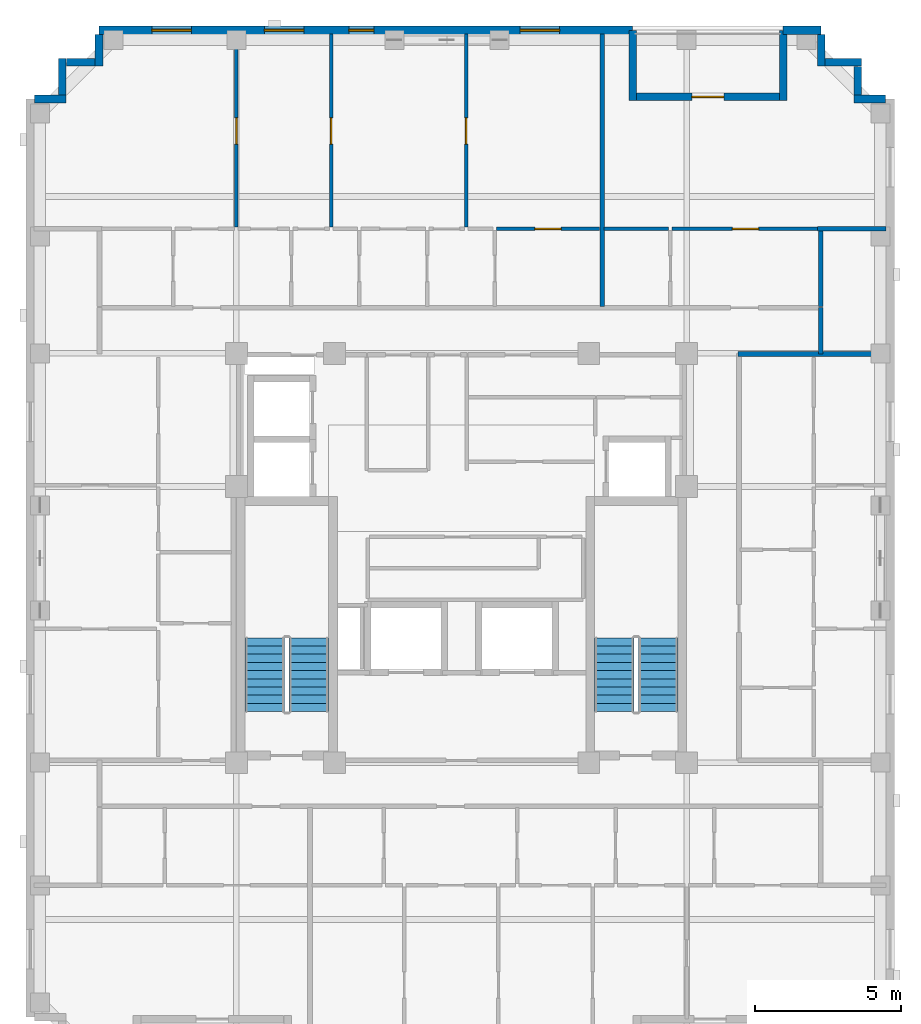
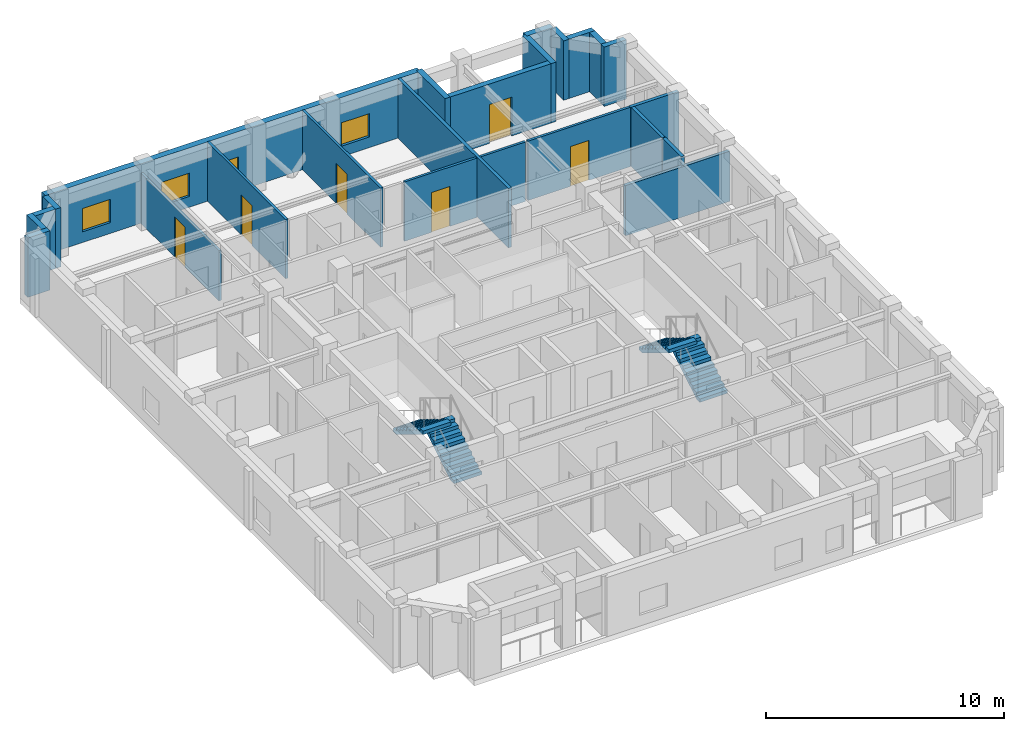
# One storey, part 7 of 11: 24 walls, 6 doors, 4 stair flights, 4 windows, 10 openings, 2 elements without a shape of their own.
"""IFC4 building model written with IfcOpenShell, lengths in metres."""

import ifcopenshell
import ifcopenshell.guid

model = None  # the IFC model being written
_history = None  # IfcOwnerHistory: only IFC2X3 demands one
_inside = {}  # id of a spatial element -> (the spatial element, [elements in it])
_under = {}  # id of a project, library or spatial element -> (it, [spatial elements below it])
_declared = {}  # id of a project -> (the project, [libraries it declares])
_typed = {}  # id of a type object -> (the type object, [elements of that type])
_made_of = {}  # id of a material, layer set ... -> (it, [elements and type objects made of it])


def new_model(schema):
    """Start an empty IFC model of exactly this schema.

    Asked for "IFC4X3", IfcOpenShell would pick the latest addendum, in which some entities
    have other attributes; the version numbers below select the first issue.
    IFC2X3 requires an IfcOwnerHistory on every rooted entity: one is made here for all.
    """
    global model, _history
    if schema == "IFC4X3":
        model = ifcopenshell.file(schema_version=(4, 3, 0, 0))
    else:
        model = ifcopenshell.file(schema=schema)
    _inside.clear()
    _under.clear()
    _declared.clear()
    _typed.clear()
    _made_of.clear()
    _history = None
    if model.schema == "IFC2X3":
        org = make("IfcOrganization", Name="unknown")
        user = make(
            "IfcPersonAndOrganization",
            ThePerson=make("IfcPerson", FamilyName="unknown"),
            TheOrganization=org,
        )
        app = make(
            "IfcApplication",
            ApplicationDeveloper=org,
            Version="unknown",
            ApplicationFullName="unknown",
            ApplicationIdentifier="unknown",
        )
        _history = make(
            "IfcOwnerHistory",
            OwningUser=user,
            OwningApplication=app,
            ChangeAction="ADDED",
            CreationDate=0,
        )
    return model


def make(cls, **values):
    """One entity of the class cls with the attributes given. An attribute that is None is left unset."""
    return model.create_entity(
        cls, **{name: value for name, value in values.items() if value is not None}
    )


def rooted(cls, **values):
    """An entity with a GlobalId (a new one), such as an element, a storey or a relation."""
    return make(cls, GlobalId=ifcopenshell.guid.new(), OwnerHistory=_history, **values)


def si_unit(unit_type, name, prefix=None):
    """IfcSIUnit, for example si_unit("LENGTHUNIT", "METRE", prefix="MILLI")."""
    return make("IfcSIUnit", UnitType=unit_type, Prefix=prefix, Name=name)


def derived_unit(unit_type, elements):
    """IfcDerivedUnit: a product of units, each with its exponent."""
    return make(
        "IfcDerivedUnit",
        Elements=[
            make("IfcDerivedUnitElement", Unit=unit, Exponent=power)
            for unit, power in elements
        ],
        UnitType=unit_type,
    )


def assignment(units):
    """IfcUnitAssignment: the units of a project."""
    return None if units is None else make("IfcUnitAssignment", Units=units)


def point(xyz):
    """IfcCartesianPoint."""
    return None if xyz is None else make("IfcCartesianPoint", Coordinates=xyz)


def direction(xyz):
    """IfcDirection."""
    return None if xyz is None else make("IfcDirection", DirectionRatios=xyz)


def frame(location, z_axis=None, x_axis=None):
    """IfcAxis2Placement3D, a coordinate frame: its origin and axes. An axis left out is left unset."""
    return make(
        "IfcAxis2Placement3D",
        Location=point(location),
        Axis=direction(z_axis),
        RefDirection=direction(x_axis),
    )


def frame_2d(location, x_axis=None):
    """IfcAxis2Placement2D, a coordinate frame in the plane: its origin and x axis."""
    return make(
        "IfcAxis2Placement2D", Location=point(location), RefDirection=direction(x_axis)
    )


def origin():
    """The frame at (0, 0, 0) with its axes left unset."""
    return frame((0.0, 0.0, 0.0))


def place(relative_to, where):
    """IfcLocalPlacement: puts the frame where relative to a parent placement (None: the world)."""
    return make(
        "IfcLocalPlacement", PlacementRelTo=relative_to, RelativePlacement=where
    )


def context(
    kind, dimensions, precision=None, world=None, true_north=None, identifier=None
):
    """IfcGeometricRepresentationContext, for example the 3D "Model" context."""
    return make(
        "IfcGeometricRepresentationContext",
        ContextIdentifier=identifier,
        ContextType=kind,
        CoordinateSpaceDimension=dimensions,
        Precision=precision,
        WorldCoordinateSystem=world,
        TrueNorth=true_north,
    )


def subcontext(parent, identifier, kind, view, scale=None):
    """IfcGeometricRepresentationSubContext, for example "Body" below "Model"."""
    return make(
        "IfcGeometricRepresentationSubContext",
        ContextIdentifier=identifier,
        ContextType=kind,
        ParentContext=parent,
        TargetScale=scale,
        TargetView=view,
    )


def project(units=None, contexts=None):
    """IfcProject with its units and contexts."""
    return rooted(
        "IfcProject",
        Name="project",
        RepresentationContexts=contexts,
        UnitsInContext=assignment(units),
    )


def spatial(cls, under=None, at=None, **own):
    """A site, building, storey or space (cls), placed at a placement, below another one or the project."""
    s = rooted(cls, ObjectPlacement=at, **own)
    if under is not None:
        _under.setdefault(under.id(), (under, []))[1].append(s)
    return s


def polyline(points):
    """IfcPolyline through the points."""
    return make("IfcPolyline", Points=[point(p) for p in points])


def profile(cls, at=None, kind="AREA", **sizes):
    """A parametric profile (cls). Its sizes go by their IFC names, for example OverallWidth=200.0."""
    return make(cls, ProfileType=kind, Position=at, **sizes)


def rectangle(**sizes):
    """IfcRectangleProfileDef."""
    return profile("IfcRectangleProfileDef", **sizes)


def outline(outer, holes=None, kind="AREA"):
    """IfcArbitraryClosedProfileDef: a profile drawn as a closed curve; with holes, ...WithVoids."""
    if holes is None:
        return make("IfcArbitraryClosedProfileDef", ProfileType=kind, OuterCurve=outer)
    return make(
        "IfcArbitraryProfileDefWithVoids",
        ProfileType=kind,
        OuterCurve=outer,
        InnerCurves=holes,
    )


def extrude(swept, where, along, depth):
    """IfcExtrudedAreaSolid: the profile swept, set in the frame where, extruded along a direction by depth."""
    return make(
        "IfcExtrudedAreaSolid",
        SweptArea=swept,
        Position=where,
        ExtrudedDirection=direction(along),
        Depth=depth,
    )


def shape(context_of_items, identifier, shape_type, items):
    """IfcShapeRepresentation: the items that make up one representation, for example the "Body"."""
    return make(
        "IfcShapeRepresentation",
        ContextOfItems=context_of_items,
        RepresentationIdentifier=identifier,
        RepresentationType=shape_type,
        Items=items,
    )


def material(Name=None, Category=None):
    """IfcMaterial."""
    return make("IfcMaterial", Name=Name, Category=Category)


def layer(
    of_material, thickness, ventilated=None, Name=None, Category=None, Priority=None
):
    """IfcMaterialLayer: one layer of a wall or slab, of a material (None: an air gap)."""
    return make(
        "IfcMaterialLayer",
        Material=of_material,
        LayerThickness=thickness,
        IsVentilated=ventilated,
        Name=Name,
        Category=Category,
        Priority=Priority,
    )


def layer_set(layers, Name=None):
    """IfcMaterialLayerSet."""
    return make("IfcMaterialLayerSet", MaterialLayers=layers, LayerSetName=Name)


def made_of(thing, what):
    """Note that an element or type object is made of a material, layer set ...; save() writes the relation."""
    if what is not None:
        _made_of.setdefault(what.id(), (what, []))[1].append(thing)
    return thing


def type_object(cls, material=None, **own):
    """A type object (cls), such as IfcWallType, which elements share."""
    return made_of(rooted(cls, **own), material)


def element(
    cls,
    number,
    at=None,
    inside=None,
    cuts=None,
    type_object=None,
    material=None,
    context=None,
    identifier="Body",
    shape_type=None,
    held_by="IfcProductDefinitionShape",
    body=None,
    shapes=None,
    **own,
):
    """One element of the class cls, such as IfcWall. Its Tag is "e" and its number.

    at: its placement. inside: the storey or other place that contains it. cuts: it is an
    opening in that element (IfcRelVoidsElement). A single representation is given by context,
    identifier, shape_type and body (its items); several are given by shapes. held_by: the class
    of the entity that holds the representations. save() writes the other relations.
    """
    e = rooted(cls, Tag="e%d" % number, ObjectPlacement=at, **own)
    if body is not None:
        shapes = [shape(context, identifier, shape_type, body)]
    if shapes is not None:
        e.Representation = make(held_by, Representations=shapes)
    if inside is not None:
        _inside.setdefault(inside.id(), (inside, []))[1].append(e)
    if cuts is not None:
        rooted(
            "IfcRelVoidsElement", RelatingBuildingElement=cuts, RelatedOpeningElement=e
        )
    if type_object is not None:
        _typed.setdefault(type_object.id(), (type_object, []))[1].append(e)
    return made_of(e, material)


def fill(opening, filler):
    """IfcRelFillsElement: the door or window that sits in an opening."""
    return rooted(
        "IfcRelFillsElement",
        RelatingOpeningElement=opening,
        RelatedBuildingElement=filler,
    )


def aggregate(whole, parts):
    """IfcRelAggregates: a whole, such as a stair, and the parts it consists of."""
    return rooted("IfcRelAggregates", RelatingObject=whole, RelatedObjects=parts)


def save(model, path):
    """Write the relations noted so far, then the file.

    IfcRelAggregates (storeys below a building ...), IfcRelContainedInSpatialStructure (elements
    in a storey), IfcRelDefinesByType, IfcRelAssociatesMaterial and IfcRelDeclares: one each for
    every whole, place, type object, material and project.
    """
    for whole, parts in _under.values():
        aggregate(whole, parts)
    for where, things in _inside.values():
        rooted(
            "IfcRelContainedInSpatialStructure",
            RelatedElements=things,
            RelatingStructure=where,
        )
    for kind, things in _typed.values():
        rooted("IfcRelDefinesByType", RelatedObjects=things, RelatingType=kind)
    for what, things in _made_of.values():
        rooted("IfcRelAssociatesMaterial", RelatedObjects=things, RelatingMaterial=what)
    for by, libraries in _declared.values():
        rooted("IfcRelDeclares", RelatingContext=by, RelatedDefinitions=libraries)
    model.write(path)


model = new_model("IFC4")

# Units and contexts
model_context = context("Model", 3, precision=1e-05, world=origin(), true_north=direction((0.0, 1.0)))
body_context = subcontext(model_context, "Body", "Model", "MODEL_VIEW")
ifc_project = project(units=[si_unit("LENGTHUNIT", "METRE"), si_unit("AREAUNIT", "SQUARE_METRE"), si_unit("VOLUMEUNIT", "CUBIC_METRE"), si_unit("PLANEANGLEUNIT", "RADIAN"), si_unit("MASSUNIT", "GRAM", prefix="KILO"), derived_unit("THERMALTRANSMITTANCEUNIT", [(si_unit("MASSUNIT", "GRAM", prefix="KILO"), 1), (si_unit("TIMEUNIT", "SECOND"), -3), (si_unit("THERMODYNAMICTEMPERATUREUNIT", "KELVIN"), -1)])], contexts=[model_context])

# Site, building, storey
site_placement = place(None, origin())
site = spatial("IfcSite", under=ifc_project, at=site_placement, CompositionType="ELEMENT")
building_placement = place(site_placement, origin())
building = spatial("IfcBuilding", under=site, at=building_placement, Name="Korrvale Station Residences", CompositionType="ELEMENT")
storey_placement = place(building_placement, frame((0.0, 0.0, 258.10009765625)))
storey = spatial("IfcBuildingStorey", under=building, at=storey_placement, Name="L75", CompositionType="ELEMENT", Elevation=258.10009765625)

# Wall
ifc_material_1 = material(Name="Precast concrete C45/55", Category="concrete")
ifc_layer_1 = layer(ifc_material_1, 0.260009765625, Name="Precast concrete C45/55")
ifc_layer_set_1 = layer_set([ifc_layer_1], Name="Precast concrete C45/55")
wall_type_1 = type_object("IfcWallType", Name="WAL-EXT-LOG260", PredefinedType="SOLIDWALL", material=ifc_layer_set_1)
wall_1_placement = place(storey_placement, frame((31.35009765625, 40.0400390625, 0.0), z_axis=(0.0, 0.0, 1.0), x_axis=(0.0, -1.0, 0.0)))
element("IfcWall", 1, at=wall_1_placement, inside=storey, type_object=wall_type_1, Name="L75 Recessed Loggia Wall BAL-L75-N1-L", PredefinedType="SOLIDWALL", context=body_context, shape_type="SweptSolid", body=[
    extrude(rectangle(XDim=2.400146484375, YDim=0.260009765625, at=frame_2d((1.2001953125, 0.0))), origin(), (0.0, 0.0, 1.0), 3.0498046875),
])

# Wall, opening, door
wall_2_placement = place(storey_placement, frame((31.48388671875, 37.77001953125, 0.0), z_axis=(0.0, 0.0, 1.0), x_axis=(1.0, 0.0, 0.0)))
wall_2 = element("IfcWall", 2, at=wall_2_placement, inside=storey, type_object=wall_type_1, Name="L75 Recessed Loggia Wall BAL-L75-N1-B", PredefinedType="SOLIDWALL", context=body_context, shape_type="SweptSolid", body=[
    extrude(rectangle(XDim=4.882080078125, YDim=0.260009765625, at=frame_2d((2.44091796875, 0.0))), origin(), (0.0, 0.0, 1.0), 3.0498046875),
])
opening_1_placement = place(wall_2_placement, frame((1.89111328125, 0.0, 0.0)))
opening_1 = element("IfcOpeningElement", 3, at=opening_1_placement, cuts=wall_2, Name="Opening BD-01", PredefinedType="OPENING", context=body_context, shape_type="SweptSolid", body=[
    extrude(rectangle(XDim=1.10009765625, YDim=2.0, at=frame_2d((0.550048828125, 1.0))), frame((0.0, 0.14013671875, 0.0), z_axis=(0.0, -1.0, 0.0), x_axis=(1.0, 0.0, 0.0)), (0.0, 0.0, 1.0), 0.280029296875),
])
ifc_material_2 = material(Name="Exterior thermally broken aluminium glazed balcony door", Category="aluminium")
door_type_1 = type_object("IfcDoorType", Name="DR-EXT-BAL", OperationType="NOTDEFINED", PredefinedType="DOOR", material=ifc_material_2)
door_1_placement = place(opening_1_placement, origin())
door_1 = element("IfcDoor", 4, at=door_1_placement, inside=storey, type_object=door_type_1, Name="L75 Loggia Balcony Door BAL-L75-N1", OperationType="SINGLE_SWING_RIGHT", OverallHeight=2.0, OverallWidth=1.10009765625, PredefinedType="DOOR", context=body_context, shape_type="SweptSolid", body=[
    extrude(rectangle(XDim=1.10009765625, YDim=2.0, at=frame_2d((0.550048828125, 1.0))), frame((0.0, 0.02490234375, 0.0), z_axis=(0.0, -1.0, 0.0), x_axis=(1.0, 0.0, 0.0)), (0.0, 0.0, 1.0), 0.050048828125),
])
fill(opening_1, door_1)

# Walls
wall_3_placement = place(storey_placement, frame((36.5, 37.639892578125, 0.0), z_axis=(0.0, 0.0, 1.0), x_axis=(0.0, 1.0, 0.0)))
element("IfcWall", 5, at=wall_3_placement, inside=storey, type_object=wall_type_1, Name="L75 Recessed Loggia Wall BAL-L75-N1-R", PredefinedType="SOLIDWALL", context=body_context, shape_type="SweptSolid", body=[
    extrude(rectangle(XDim=2.400146484375, YDim=0.260009765625, at=frame_2d((1.2001953125, 0.0))), origin(), (0.0, 0.0, 1.0), 3.0498046875),
])
wall_4_placement = place(storey_placement, frame((10.902099609375, 37.699951171875, 0.0), z_axis=(0.0, 0.0, 1.0), x_axis=(1.0, 0.0, 0.0)))
element("IfcWall", 6, at=wall_4_placement, inside=storey, type_object=wall_type_1, Name="L75 Serrated Corner Precast Step NW-1", PredefinedType="SOLIDWALL", context=body_context, shape_type="SweptSolid", body=[
    extrude(rectangle(XDim=1.077880859375, YDim=0.260009765625, at=frame_2d((0.5390625, 0.0))), origin(), (0.0, 0.0, 1.0), 3.0498046875),
])
wall_5_placement = place(storey_placement, frame((11.85009765625, 37.83203125, 0.0), z_axis=(0.0, 0.0, 1.0), x_axis=(0.0, 1.0, 0.0)))
element("IfcWall", 7, at=wall_5_placement, inside=storey, type_object=wall_type_1, Name="L75 Serrated Corner Precast Step NW-2", PredefinedType="SOLIDWALL", context=body_context, shape_type="SweptSolid", body=[
    extrude(rectangle(XDim=1.248046875, YDim=0.260009765625, at=frame_2d((0.6240234375, 0.0))), origin(), (0.0, 0.0, 1.0), 3.0498046875),
])
wall_6_placement = place(storey_placement, frame((11.98193359375, 38.949951171875, 0.0), z_axis=(0.0, 0.0, 1.0), x_axis=(1.0, 0.0, 0.0)))
element("IfcWall", 8, at=wall_6_placement, inside=storey, type_object=wall_type_1, Name="L75 Serrated Corner Precast Step NW-3", PredefinedType="SOLIDWALL", context=body_context, shape_type="SweptSolid", body=[
    extrude(rectangle(XDim=0.986083984375, YDim=0.260009765625, at=frame_2d((0.4931640625, 0.0))), origin(), (0.0, 0.0, 1.0), 3.0498046875),
])
for number, where, z_axis, x_axis, name in (
    (9, (13.10009765625, 38.820068359375, 0.0), (0.0, 0.0, 1.0), (0.0, 1.0, 0.0), "L75 Serrated Corner Precast Step NW-4"),
    (10, (37.800048828125, 39.89794921875, 0.0), (0.0, 0.0, 1.0), (0.0, -1.0, 0.0), "L75 Serrated Corner Precast Step NE-1"),
):
    element("IfcWall", number, at=place(storey_placement, frame(where, z_axis=z_axis, x_axis=x_axis)), inside=storey, type_object=wall_type_1, Name=name, PredefinedType="SOLIDWALL", context=body_context, shape_type="SweptSolid", body=[
        extrude(rectangle(XDim=1.077880859375, YDim=0.260009765625, at=frame_2d((0.5390625, 0.0))), origin(), (0.0, 0.0, 1.0), 3.0498046875),
    ])
wall_7_placement = place(storey_placement, frame((37.931884765625, 38.949951171875, 0.0), z_axis=(0.0, 0.0, 1.0), x_axis=(1.0, 0.0, 0.0)))
element("IfcWall", 11, at=wall_7_placement, inside=storey, type_object=wall_type_1, Name="L75 Serrated Corner Precast Step NE-2", PredefinedType="SOLIDWALL", context=body_context, shape_type="SweptSolid", body=[
    extrude(rectangle(XDim=1.248046875, YDim=0.260009765625, at=frame_2d((0.6240234375, 0.0))), origin(), (0.0, 0.0, 1.0), 3.0498046875),
])
wall_8_placement = place(storey_placement, frame((39.050048828125, 38.818115234375, 0.0), z_axis=(0.0, 0.0, 1.0), x_axis=(0.0, -1.0, 0.0)))
element("IfcWall", 12, at=wall_8_placement, inside=storey, type_object=wall_type_1, Name="L75 Serrated Corner Precast Step NE-3", PredefinedType="SOLIDWALL", context=body_context, shape_type="SweptSolid", body=[
    extrude(rectangle(XDim=0.986083984375, YDim=0.260009765625, at=frame_2d((0.4931640625, 0.0))), origin(), (0.0, 0.0, 1.0), 3.0498046875),
])
wall_9_placement = place(storey_placement, frame((38.919921875, 37.699951171875, 0.0), z_axis=(0.0, 0.0, 1.0), x_axis=(1.0, 0.0, 0.0)))
element("IfcWall", 13, at=wall_9_placement, inside=storey, type_object=wall_type_1, Name="L75 Serrated Corner Precast Step NE-4", PredefinedType="SOLIDWALL", context=body_context, shape_type="SweptSolid", body=[
    extrude(rectangle(XDim=1.078125, YDim=0.260009765625, at=frame_2d((0.5390625, 0.0))), origin(), (0.0, 0.0, 1.0), 3.0498046875),
])

# Wall, openings, windows
ifc_layer_2 = layer(ifc_material_1, 0.300048828125, Name="Precast concrete C45/55")
ifc_layer_set_2 = layer_set([ifc_layer_2], Name="Precast concrete C45/55")
wall_type_2 = type_object("IfcWallType", Name="WAL-EXT-PC300", PredefinedType="SOLIDWALL", material=ifc_layer_set_2)
wall_10_placement = place(storey_placement, frame((13.10009765625, 40.050048828125, 0.0), z_axis=(0.0, 0.0, 1.0), x_axis=(1.0, 0.0, 0.0)))
wall_10 = element("IfcWall", 14, at=wall_10_placement, inside=storey, type_object=wall_type_2, Name="L75 North Exterior Precast Wall 1", PredefinedType="SOLIDWALL", context=body_context, shape_type="SweptSolid", body=[
    extrude(rectangle(XDim=18.25, YDim=0.300048828125, at=frame_2d((9.125, 0.0))), origin(), (0.0, 0.0, 1.0), 3.0498046875),
])
opening_2_placement = place(wall_10_placement, frame((1.81298828125, 0.0, 0.550048828125)))
opening_2 = element("IfcOpeningElement", 15, at=opening_2_placement, cuts=wall_10, Name="Opening W-10", PredefinedType="OPENING", context=body_context, shape_type="SweptSolid", body=[
    extrude(rectangle(XDim=1.35009765625, YDim=1.199951171875, at=frame_2d((0.675048828125, 0.60009765625))), frame((0.0, 0.16015625, 0.0), z_axis=(0.0, -1.0, 0.0), x_axis=(1.0, 0.0, 0.0)), (0.0, 0.0, 1.0), 0.320068359375),
])
opening_3_placement = place(wall_10_placement, frame((5.659912109375, 0.0, 0.550048828125)))
opening_3 = element("IfcOpeningElement", 16, at=opening_3_placement, cuts=wall_10, Name="Opening W-10", PredefinedType="OPENING", context=body_context, shape_type="SweptSolid", body=[
    extrude(rectangle(XDim=1.35009765625, YDim=1.199951171875, at=frame_2d((0.675048828125, 0.60009765625))), frame((0.0, 0.16015625, 0.0), z_axis=(0.0, -1.0, 0.0), x_axis=(1.0, 0.0, 0.0)), (0.0, 0.0, 1.0), 0.320068359375),
])
opening_4_placement = place(wall_10_placement, frame((8.550048828125, 0.0, 0.550048828125)))
opening_4 = element("IfcOpeningElement", 17, at=opening_4_placement, cuts=wall_10, Name="Opening W-11", PredefinedType="OPENING", context=body_context, shape_type="SweptSolid", body=[
    extrude(rectangle(XDim=0.85009765625, YDim=1.199951171875, at=frame_2d((0.425048828125, 0.60009765625))), frame((0.0, 0.16015625, 0.0), z_axis=(0.0, -1.0, 0.0), x_axis=(1.0, 0.0, 0.0)), (0.0, 0.0, 1.0), 0.320068359375),
])
opening_5_placement = place(wall_10_placement, frame((14.39990234375, 0.0, 0.550048828125)))
opening_5 = element("IfcOpeningElement", 18, at=opening_5_placement, cuts=wall_10, Name="Opening W-10", PredefinedType="OPENING", context=body_context, shape_type="SweptSolid", body=[
    extrude(rectangle(XDim=1.35009765625, YDim=1.199951171875, at=frame_2d((0.675048828125, 0.60009765625))), frame((0.0, 0.16015625, 0.0), z_axis=(0.0, -1.0, 0.0), x_axis=(1.0, 0.0, 0.0)), (0.0, 0.0, 1.0), 0.320068359375),
])
ifc_material_3 = material(Name="Thermally broken aluminium frame with triple low-e glazing", Category="aluminium")
window_type_1 = type_object("IfcWindowType", Name="WIN-W10", PartitioningType="SINGLE_PANEL", PredefinedType="WINDOW", material=ifc_material_3)
window_1_placement = place(opening_2_placement, origin())
window_1 = element("IfcWindow", 19, at=window_1_placement, inside=storey, type_object=window_type_1, Name="L75 Punched Window 06", OverallHeight=1.199951171875, OverallWidth=1.35009765625, PartitioningType="SINGLE_PANEL", PredefinedType="WINDOW", context=body_context, shape_type="SweptSolid", body=[
    extrude(rectangle(XDim=1.35009765625, YDim=1.199951171875, at=frame_2d((0.675048828125, 0.60009765625))), frame((0.0, 0.030029296875, 0.0), z_axis=(0.0, -1.0, 0.0), x_axis=(1.0, 0.0, 0.0)), (0.0, 0.0, 1.0), 0.06005859375),
])
fill(opening_2, window_1)
window_2_placement = place(opening_3_placement, origin())
window_2 = element("IfcWindow", 20, at=window_2_placement, inside=storey, type_object=window_type_1, Name="L75 Punched Window 07", OverallHeight=1.199951171875, OverallWidth=1.35009765625, PartitioningType="SINGLE_PANEL", PredefinedType="WINDOW", context=body_context, shape_type="SweptSolid", body=[
    extrude(rectangle(XDim=1.35009765625, YDim=1.199951171875, at=frame_2d((0.675048828125, 0.60009765625))), frame((0.0, 0.030029296875, 0.0), z_axis=(0.0, -1.0, 0.0), x_axis=(1.0, 0.0, 0.0)), (0.0, 0.0, 1.0), 0.06005859375),
])
fill(opening_3, window_2)
window_3_placement = place(opening_5_placement, origin())
window_3 = element("IfcWindow", 21, at=window_3_placement, inside=storey, type_object=window_type_1, Name="L75 Punched Window 09", OverallHeight=1.199951171875, OverallWidth=1.35009765625, PartitioningType="SINGLE_PANEL", PredefinedType="WINDOW", context=body_context, shape_type="SweptSolid", body=[
    extrude(rectangle(XDim=1.35009765625, YDim=1.199951171875, at=frame_2d((0.675048828125, 0.60009765625))), frame((0.0, 0.030029296875, 0.0), z_axis=(0.0, -1.0, 0.0), x_axis=(1.0, 0.0, 0.0)), (0.0, 0.0, 1.0), 0.06005859375),
])
fill(opening_5, window_3)
window_type_2 = type_object("IfcWindowType", Name="WIN-W11", PartitioningType="SINGLE_PANEL", PredefinedType="WINDOW", material=ifc_material_3)
window_4_placement = place(opening_4_placement, origin())
window_4 = element("IfcWindow", 22, at=window_4_placement, inside=storey, type_object=window_type_2, Name="L75 Punched Window 08", OverallHeight=1.199951171875, OverallWidth=0.85009765625, PartitioningType="SINGLE_PANEL", PredefinedType="WINDOW", context=body_context, shape_type="SweptSolid", body=[
    extrude(rectangle(XDim=0.85009765625, YDim=1.199951171875, at=frame_2d((0.425048828125, 0.60009765625))), frame((0.0, 0.030029296875, 0.0), z_axis=(0.0, -1.0, 0.0), x_axis=(1.0, 0.0, 0.0)), (0.0, 0.0, 1.0), 0.06005859375),
])
fill(opening_4, window_4)

# Wall
wall_11_placement = place(storey_placement, frame((36.5, 40.050048828125, 0.0), z_axis=(0.0, 0.0, 1.0), x_axis=(1.0, 0.0, 0.0)))
element("IfcWall", 23, at=wall_11_placement, inside=storey, type_object=wall_type_2, Name="L75 North Exterior Precast Wall 2", PredefinedType="SOLIDWALL", context=body_context, shape_type="SweptSolid", body=[
    extrude(rectangle(XDim=1.300048828125, YDim=0.300048828125, at=frame_2d((0.64990234375, 0.0))), origin(), (0.0, 0.0, 1.0), 3.0498046875),
])

# Wall, opening, door
ifc_material_4 = material(Name="Acoustic steel-stud gypsum board partition", Category="steel")
ifc_layer_3 = layer(ifc_material_4, 0.1201171875, Name="Acoustic steel-stud gypsum board partition")
ifc_layer_set_3 = layer_set([ifc_layer_3], Name="Acoustic steel-stud gypsum board partition")
wall_type_3 = type_object("IfcWallType", Name="WAL-PART-125", PredefinedType="PARTITIONING", material=ifc_layer_set_3)
wall_12_placement = place(storey_placement, frame((26.699951171875, 33.260009765625, 0.0), z_axis=(0.0, 0.0, 1.0), x_axis=(1.0, 0.0, 0.0)))
wall_12 = element("IfcWall", 24, at=wall_12_placement, inside=storey, type_object=wall_type_3, Name="L75 Suite Partition U03-H59", PredefinedType="PARTITIONING", context=body_context, shape_type="SweptSolid", body=[
    extrude(rectangle(XDim=3.51708984375, YDim=0.1201171875, at=frame_2d((1.758544921875, 0.0))), origin(), (0.0, 0.0, 1.0), 3.0498046875),
])
opening_6_placement = place(wall_12_placement, frame((1.30810546875, 0.0, 0.0)))
opening_6 = element("IfcOpeningElement", 25, at=opening_6_placement, cuts=wall_12, Name="Opening DI-900", PredefinedType="OPENING", context=body_context, shape_type="SweptSolid", body=[
    extrude(rectangle(XDim=0.89990234375, YDim=2.050048828125, at=frame_2d((0.449951171875, 1.02490234375))), frame((0.0, 0.070068359375, 0.0), z_axis=(0.0, -1.0, 0.0), x_axis=(1.0, 0.0, 0.0)), (0.0, 0.0, 1.0), 0.14013671875),
])
ifc_material_5 = material(Name="Painted solid-core timber interior room door", Category="wood")
door_type_2 = type_object("IfcDoorType", Name="DR-INT-900", OperationType="NOTDEFINED", PredefinedType="DOOR", material=ifc_material_5)
door_2_placement = place(opening_6_placement, origin())
door_2 = element("IfcDoor", 26, at=door_2_placement, inside=storey, type_object=door_type_2, Name="L75 Apartment 2BR L75-U03 Wardrobe Storage Room Door", OperationType="SINGLE_SWING_RIGHT", OverallHeight=2.050048828125, OverallWidth=0.89990234375, PredefinedType="DOOR", context=body_context, shape_type="SweptSolid", body=[
    extrude(rectangle(XDim=0.89990234375, YDim=2.050048828125, at=frame_2d((0.449951171875, 1.02490234375))), frame((0.0, 0.02490234375, 0.0), z_axis=(0.0, -1.0, 0.0), x_axis=(1.0, 0.0, 0.0)), (0.0, 0.0, 1.0), 0.050048828125),
])
fill(opening_6, door_2)

wall_13_placement = place(storey_placement, frame((17.800048828125, 33.320068359375, 0.0), z_axis=(0.0, 0.0, 1.0), x_axis=(0.0, 1.0, 0.0)))
wall_13 = element("IfcWall", 27, at=wall_13_placement, inside=storey, type_object=wall_type_3, Name="L75 Suite Partition U03-V67", PredefinedType="PARTITIONING", context=body_context, shape_type="SweptSolid", body=[
    extrude(rectangle(XDim=6.599853515625, YDim=0.1201171875, at=frame_2d((3.2998046875, 0.0))), origin(), (0.0, 0.0, 1.0), 2.577880859375),
])
opening_7_placement = place(wall_13_placement, frame((2.8349609375, 0.0, 0.0)))
opening_7 = element("IfcOpeningElement", 28, at=opening_7_placement, cuts=wall_13, Name="Opening DI-900", PredefinedType="OPENING", context=body_context, shape_type="SweptSolid", body=[
    extrude(rectangle(XDim=0.89990234375, YDim=2.050048828125, at=frame_2d((0.449951171875, 1.02490234375))), frame((0.0, 0.070068359375, 0.0), z_axis=(0.0, -1.0, 0.0), x_axis=(1.0, 0.0, 0.0)), (0.0, 0.0, 1.0), 0.14013671875),
])
door_3_placement = place(opening_7_placement, origin())
door_3 = element("IfcDoor", 29, at=door_3_placement, inside=storey, type_object=door_type_2, Name="L75 Apartment 2BR L75-U03 Living and Dining Room Door", OperationType="SINGLE_SWING_LEFT", OverallHeight=2.050048828125, OverallWidth=0.89990234375, PredefinedType="DOOR", context=body_context, shape_type="SweptSolid", body=[
    extrude(rectangle(XDim=0.89990234375, YDim=2.050048828125, at=frame_2d((0.449951171875, 1.02490234375))), frame((0.0, 0.02490234375, 0.0), z_axis=(0.0, -1.0, 0.0), x_axis=(1.0, 0.0, 0.0)), (0.0, 0.0, 1.0), 0.050048828125),
])
fill(opening_7, door_3)

wall_14_placement = place(storey_placement, frame((21.037109375, 33.320068359375, 0.0), z_axis=(0.0, 0.0, 1.0), x_axis=(0.0, 1.0, 0.0)))
wall_14 = element("IfcWall", 30, at=wall_14_placement, inside=storey, type_object=wall_type_3, Name="L75 Suite Partition U03-V78", PredefinedType="PARTITIONING", context=body_context, shape_type="SweptSolid", body=[
    extrude(rectangle(XDim=6.599853515625, YDim=0.1201171875, at=frame_2d((3.2998046875, 0.0))), origin(), (0.0, 0.0, 1.0), 3.0498046875),
])
opening_8_placement = place(wall_14_placement, frame((2.8349609375, 0.0, 0.0)))
opening_8 = element("IfcOpeningElement", 31, at=opening_8_placement, cuts=wall_14, Name="Opening DI-900", PredefinedType="OPENING", context=body_context, shape_type="SweptSolid", body=[
    extrude(rectangle(XDim=0.89990234375, YDim=2.050048828125, at=frame_2d((0.449951171875, 1.02490234375))), frame((0.0, 0.070068359375, 0.0), z_axis=(0.0, -1.0, 0.0), x_axis=(1.0, 0.0, 0.0)), (0.0, 0.0, 1.0), 0.14013671875),
])
door_4_placement = place(opening_8_placement, origin())
door_4 = element("IfcDoor", 32, at=door_4_placement, inside=storey, type_object=door_type_2, Name="L75 Apartment 2BR L75-U03 Formal Dining Room Door", OperationType="SINGLE_SWING_RIGHT", OverallHeight=2.050048828125, OverallWidth=0.89990234375, PredefinedType="DOOR", context=body_context, shape_type="SweptSolid", body=[
    extrude(rectangle(XDim=0.89990234375, YDim=2.050048828125, at=frame_2d((0.449951171875, 1.02490234375))), frame((0.0, 0.02490234375, 0.0), z_axis=(0.0, -1.0, 0.0), x_axis=(1.0, 0.0, 0.0)), (0.0, 0.0, 1.0), 0.050048828125),
])
fill(opening_8, door_4)

wall_15_placement = place(storey_placement, frame((25.656982421875, 33.320068359375, 0.0), z_axis=(0.0, 0.0, 1.0), x_axis=(0.0, 1.0, 0.0)))
wall_15 = element("IfcWall", 33, at=wall_15_placement, inside=storey, type_object=wall_type_3, Name="L75 Suite Partition U03-V89", PredefinedType="PARTITIONING", context=body_context, shape_type="SweptSolid", body=[
    extrude(rectangle(XDim=6.599853515625, YDim=0.1201171875, at=frame_2d((3.2998046875, 0.0))), origin(), (0.0, 0.0, 1.0), 3.0498046875),
])
opening_9_placement = place(wall_15_placement, frame((2.8349609375, 0.0, 0.0)))
opening_9 = element("IfcOpeningElement", 34, at=opening_9_placement, cuts=wall_15, Name="Opening DI-900", PredefinedType="OPENING", context=body_context, shape_type="SweptSolid", body=[
    extrude(rectangle(XDim=0.89990234375, YDim=2.050048828125, at=frame_2d((0.449951171875, 1.02490234375))), frame((0.0, 0.070068359375, 0.0), z_axis=(0.0, -1.0, 0.0), x_axis=(1.0, 0.0, 0.0)), (0.0, 0.0, 1.0), 0.14013671875),
])
door_5_placement = place(opening_9_placement, origin())
door_5 = element("IfcDoor", 35, at=door_5_placement, inside=storey, type_object=door_type_2, Name="L75 Apartment 2BR L75-U03 Bedroom 1 Door", OperationType="SINGLE_SWING_LEFT", OverallHeight=2.050048828125, OverallWidth=0.89990234375, PredefinedType="DOOR", context=body_context, shape_type="SweptSolid", body=[
    extrude(rectangle(XDim=0.89990234375, YDim=2.050048828125, at=frame_2d((0.449951171875, 1.02490234375))), frame((0.0, 0.02490234375, 0.0), z_axis=(0.0, -1.0, 0.0), x_axis=(1.0, 0.0, 0.0)), (0.0, 0.0, 1.0), 0.050048828125),
])
fill(opening_9, door_5)

# Wall
wall_16_placement = place(storey_placement, frame((30.376953125, 33.260009765625, 0.0), z_axis=(0.0, 0.0, 1.0), x_axis=(1.0, 0.0, 0.0)))
element("IfcWall", 36, at=wall_16_placement, inside=storey, type_object=wall_type_3, Name="L75 Suite Partition U04-H02", PredefinedType="PARTITIONING", context=body_context, shape_type="SweptSolid", body=[
    extrude(rectangle(XDim=2.203125, YDim=0.1201171875, at=frame_2d((1.1015625, 0.0))), origin(), (0.0, 0.0, 1.0), 3.0498046875),
])

# Wall, opening, door
wall_17_placement = place(storey_placement, frame((32.699951171875, 33.260009765625, 0.0), z_axis=(0.0, 0.0, 1.0), x_axis=(1.0, 0.0, 0.0)))
wall_17 = element("IfcWall", 37, at=wall_17_placement, inside=storey, type_object=wall_type_3, Name="L75 Suite Partition U04-H12", PredefinedType="PARTITIONING", context=body_context, shape_type="SweptSolid", body=[
    extrude(rectangle(XDim=5.02001953125, YDim=0.1201171875, at=frame_2d((2.510009765625, 0.0))), origin(), (0.0, 0.0, 1.0), 3.0498046875),
])
opening_10_placement = place(wall_17_placement, frame((2.06005859375, 0.0, 0.0)))
opening_10 = element("IfcOpeningElement", 38, at=opening_10_placement, cuts=wall_17, Name="Opening DI-900", PredefinedType="OPENING", context=body_context, shape_type="SweptSolid", body=[
    extrude(rectangle(XDim=0.89990234375, YDim=2.050048828125, at=frame_2d((0.449951171875, 1.02490234375))), frame((0.0, 0.070068359375, 0.0), z_axis=(0.0, -1.0, 0.0), x_axis=(1.0, 0.0, 0.0)), (0.0, 0.0, 1.0), 0.14013671875),
])
door_6_placement = place(opening_10_placement, origin())
door_6 = element("IfcDoor", 39, at=door_6_placement, inside=storey, type_object=door_type_2, Name="L75 Studio Apartment L75-U04 Kitchen Door", OperationType="SINGLE_SWING_LEFT", OverallHeight=2.050048828125, OverallWidth=0.89990234375, PredefinedType="DOOR", context=body_context, shape_type="SweptSolid", body=[
    extrude(rectangle(XDim=0.89990234375, YDim=2.050048828125, at=frame_2d((0.449951171875, 1.02490234375))), frame((0.0, 0.02490234375, 0.0), z_axis=(0.0, -1.0, 0.0), x_axis=(1.0, 0.0, 0.0)), (0.0, 0.0, 1.0), 0.050048828125),
])
fill(opening_10, door_6)

# Walls
ifc_material_6 = material(Name="Fire-rated twin-stud gypsum and mineral wool shaftwall assembly", Category="gypsum")
ifc_layer_4 = layer(ifc_material_6, 0.159912109375, Name="Fire-rated twin-stud gypsum and mineral wool shaftwall assembly")
ifc_layer_set_4 = layer_set([ifc_layer_4], Name="Fire-rated twin-stud gypsum and mineral wool shaftwall assembly")
wall_type_4 = type_object("IfcWallType", Name="WAL-PART-200", PredefinedType="PARTITIONING", material=ifc_layer_set_4)
wall_18_placement = place(storey_placement, frame((37.780029296875, 28.97998046875, 0.0), z_axis=(0.0, 0.0, 1.0), x_axis=(0.0, 1.0, 0.0)))
element("IfcWall", 40, at=wall_18_placement, inside=storey, type_object=wall_type_4, Name="L75 Corridor North East Cap", PredefinedType="PARTITIONING", context=body_context, shape_type="SweptSolid", body=[
    extrude(rectangle(XDim=1.580078125, YDim=0.159912109375, at=frame_2d((0.7900390625, 0.0))), origin(), (0.0, 0.0, 1.0), 3.0498046875),
])
wall_19_placement = place(storey_placement, frame((34.949951171875, 28.97998046875, 0.0), z_axis=(0.0, 0.0, 1.0), x_axis=(1.0, 0.0, 0.0)))
element("IfcWall", 41, at=wall_19_placement, inside=storey, type_object=wall_type_4, Name="L75 East Wing North Corridor Wall", PredefinedType="PARTITIONING", context=body_context, shape_type="SweptSolid", body=[
    extrude(rectangle(XDim=5.070068359375, YDim=0.159912109375, at=frame_2d((2.53515625, 0.0))), origin(), (0.0, 0.0, 1.0), 2.577880859375),
])
wall_20_placement = place(storey_placement, frame((37.679931640625, 33.260009765625, 0.0), z_axis=(0.0, 0.0, 1.0), x_axis=(1.0, 0.0, 0.0)))
element("IfcWall", 42, at=wall_20_placement, inside=storey, type_object=wall_type_4, Name="L75 Corner Step Wall U04-R", PredefinedType="PARTITIONING", context=body_context, shape_type="SweptSolid", body=[
    extrude(rectangle(XDim=2.340087890625, YDim=0.159912109375, at=frame_2d((1.169921875, 0.0))), origin(), (0.0, 0.0, 1.0), 3.0498046875),
])
wall_21_placement = place(storey_placement, frame((37.780029296875, 30.60009765625, 0.0), z_axis=(0.0, 0.0, 1.0), x_axis=(0.0, 1.0, 0.0)))
element("IfcWall", 43, at=wall_21_placement, inside=storey, type_object=wall_type_4, Name="L75 Corner Step Cheek U04-R", PredefinedType="PARTITIONING", context=body_context, shape_type="SweptSolid", body=[
    extrude(rectangle(XDim=2.659912109375, YDim=0.159912109375, at=frame_2d((1.330078125, 0.0))), origin(), (0.0, 0.0, 1.0), 3.0498046875),
])
wall_22_placement = place(storey_placement, frame((30.31689453125, 30.60009765625, 0.0), z_axis=(0.0, 0.0, 1.0), x_axis=(0.0, 1.0, 0.0)))
element("IfcWall", 44, at=wall_22_placement, inside=storey, type_object=wall_type_4, Name="L75 Demising Wall U04-W", PredefinedType="PARTITIONING", context=body_context, shape_type="SweptSolid", body=[
    extrude(rectangle(XDim=9.31982421875, YDim=0.159912109375, at=frame_2d((4.659912109375, 0.0))), origin(), (0.0, 0.0, 1.0), 3.0498046875),
])

# Stair, stair flights
ifc_material_7 = material(Name="Concrete C50/60", Category="concrete")
stair_type = type_object("IfcStairType", Name="STR-DL-1350-20R-1700", PredefinedType="HALF_TURN_STAIR", material=ifc_material_7)
stair_1_placement = place(storey_placement, origin())
stair_1 = element("IfcStair", 45, at=stair_1_placement, inside=storey, type_object=stair_type, Name="L75 Exit Stair 1", PredefinedType="HALF_TURN_STAIR")
stair_flight_type = type_object("IfcStairFlightType", Name="FLT-DL-1350-20R-1700", PredefinedType="STRAIGHT", material=ifc_material_7)
stair_flight_1_placement = place(storey_placement, frame((20.27490234375, 16.75, 0.0), z_axis=(0.0, 0.0, 1.0), x_axis=(0.0, 1.0, 0.0)))
stair_flight_1 = element("IfcStairFlight", 46, at=stair_flight_1_placement, type_object=stair_flight_type, Name="ST-1 flight 1", NumberOfRisers=10, NumberOfTreads=9, PredefinedType="STRAIGHT", RiserHeight=0.17, TreadLength=0.28, context=body_context, shape_type="SweptSolid", body=[
    extrude(outline(polyline([(0.0, 0.0), (0.0, 0.169921875), (0.280029296875, 0.169921875), (0.280029296875, 0.340087890625), (0.56005859375, 0.340087890625), (0.56005859375, 0.510009765625), (0.840087890625, 0.510009765625), (0.840087890625, 0.679931640625), (1.1201171875, 0.679931640625), (1.1201171875, 0.85009765625), (1.39990234375, 0.85009765625), (1.39990234375, 1.02001953125), (1.679931640625, 1.02001953125), (1.679931640625, 1.18994140625), (1.9599609375, 1.18994140625), (1.9599609375, 1.360107421875), (2.239990234375, 1.360107421875), (2.239990234375, 1.530029296875), (2.52001953125, 1.530029296875), (2.52001953125, 1.699951171875), (2.52001953125, 1.354736328125), (0.288818359375, 0.0), (0.0, 0.0)])), frame((0.0, 0.675048828125, 0.0), z_axis=(0.0, -1.0, 0.0), x_axis=(1.0, 0.0, 0.0)), (0.0, 0.0, 1.0), 1.35009765625),
])
stair_flight_2_placement = place(storey_placement, frame((18.77490234375, 19.27001953125, 1.699951171875), z_axis=(0.0, 0.0, 1.0), x_axis=(0.0, -1.0, 0.0)))
stair_flight_2 = element("IfcStairFlight", 47, at=stair_flight_2_placement, type_object=stair_flight_type, Name="ST-1 flight 2", NumberOfRisers=10, NumberOfTreads=9, PredefinedType="STRAIGHT", RiserHeight=0.17, TreadLength=0.28, context=body_context, shape_type="SweptSolid", body=[
    extrude(outline(polyline([(0.0, 0.0), (0.0, 0.169921875), (0.280029296875, 0.169921875), (0.280029296875, 0.340087890625), (0.56005859375, 0.340087890625), (0.56005859375, 0.510009765625), (0.840087890625, 0.510009765625), (0.840087890625, 0.679931640625), (1.1201171875, 0.679931640625), (1.1201171875, 0.85009765625), (1.39990234375, 0.85009765625), (1.39990234375, 1.02001953125), (1.679931640625, 1.02001953125), (1.679931640625, 1.18994140625), (1.9599609375, 1.18994140625), (1.9599609375, 1.360107421875), (2.239990234375, 1.360107421875), (2.239990234375, 1.530029296875), (2.52001953125, 1.530029296875), (2.52001953125, 1.699951171875), (2.52001953125, 1.354736328125), (0.288818359375, 0.0), (0.0, 0.0)])), frame((0.0, 0.675048828125, 0.0), z_axis=(0.0, -1.0, 0.0), x_axis=(1.0, 0.0, 0.0)), (0.0, 0.0, 1.0), 1.35009765625),
])
aggregate(stair_1, [stair_flight_1, stair_flight_2])

stair_2_placement = place(storey_placement, origin())
stair_2 = element("IfcStair", 48, at=stair_2_placement, inside=storey, type_object=stair_type, Name="L75 Exit Stair 2", PredefinedType="HALF_TURN_STAIR")
stair_flight_3_placement = place(storey_placement, frame((32.22509765625, 16.75, 0.0), z_axis=(0.0, 0.0, 1.0), x_axis=(0.0, 1.0, 0.0)))
stair_flight_3 = element("IfcStairFlight", 49, at=stair_flight_3_placement, type_object=stair_flight_type, Name="ST-2 flight 1", NumberOfRisers=10, NumberOfTreads=9, PredefinedType="STRAIGHT", RiserHeight=0.17, TreadLength=0.28, context=body_context, shape_type="SweptSolid", body=[
    extrude(outline(polyline([(0.0, 0.0), (0.0, 0.169921875), (0.280029296875, 0.169921875), (0.280029296875, 0.340087890625), (0.56005859375, 0.340087890625), (0.56005859375, 0.510009765625), (0.840087890625, 0.510009765625), (0.840087890625, 0.679931640625), (1.1201171875, 0.679931640625), (1.1201171875, 0.85009765625), (1.39990234375, 0.85009765625), (1.39990234375, 1.02001953125), (1.679931640625, 1.02001953125), (1.679931640625, 1.18994140625), (1.9599609375, 1.18994140625), (1.9599609375, 1.360107421875), (2.239990234375, 1.360107421875), (2.239990234375, 1.530029296875), (2.52001953125, 1.530029296875), (2.52001953125, 1.699951171875), (2.52001953125, 1.354736328125), (0.288818359375, 0.0), (0.0, 0.0)])), frame((0.0, 0.675048828125, 0.0), z_axis=(0.0, -1.0, 0.0), x_axis=(1.0, 0.0, 0.0)), (0.0, 0.0, 1.0), 1.35009765625),
])
stair_flight_4_placement = place(storey_placement, frame((30.72509765625, 19.27001953125, 1.699951171875), z_axis=(0.0, 0.0, 1.0), x_axis=(0.0, -1.0, 0.0)))
stair_flight_4 = element("IfcStairFlight", 50, at=stair_flight_4_placement, type_object=stair_flight_type, Name="ST-2 flight 2", NumberOfRisers=10, NumberOfTreads=9, PredefinedType="STRAIGHT", RiserHeight=0.17, TreadLength=0.28, context=body_context, shape_type="SweptSolid", body=[
    extrude(outline(polyline([(0.0, 0.0), (0.0, 0.169921875), (0.280029296875, 0.169921875), (0.280029296875, 0.340087890625), (0.56005859375, 0.340087890625), (0.56005859375, 0.510009765625), (0.840087890625, 0.510009765625), (0.840087890625, 0.679931640625), (1.1201171875, 0.679931640625), (1.1201171875, 0.85009765625), (1.39990234375, 0.85009765625), (1.39990234375, 1.02001953125), (1.679931640625, 1.02001953125), (1.679931640625, 1.18994140625), (1.9599609375, 1.18994140625), (1.9599609375, 1.360107421875), (2.239990234375, 1.360107421875), (2.239990234375, 1.530029296875), (2.52001953125, 1.530029296875), (2.52001953125, 1.699951171875), (2.52001953125, 1.354736328125), (0.288818359375, 0.0), (0.0, 0.0)])), frame((0.0, 0.675048828125, 0.0), z_axis=(0.0, -1.0, 0.0), x_axis=(1.0, 0.0, 0.0)), (0.0, 0.0, 1.0), 1.35009765625),
])
aggregate(stair_2, [stair_flight_3, stair_flight_4])

save(model, "model.ifc")
